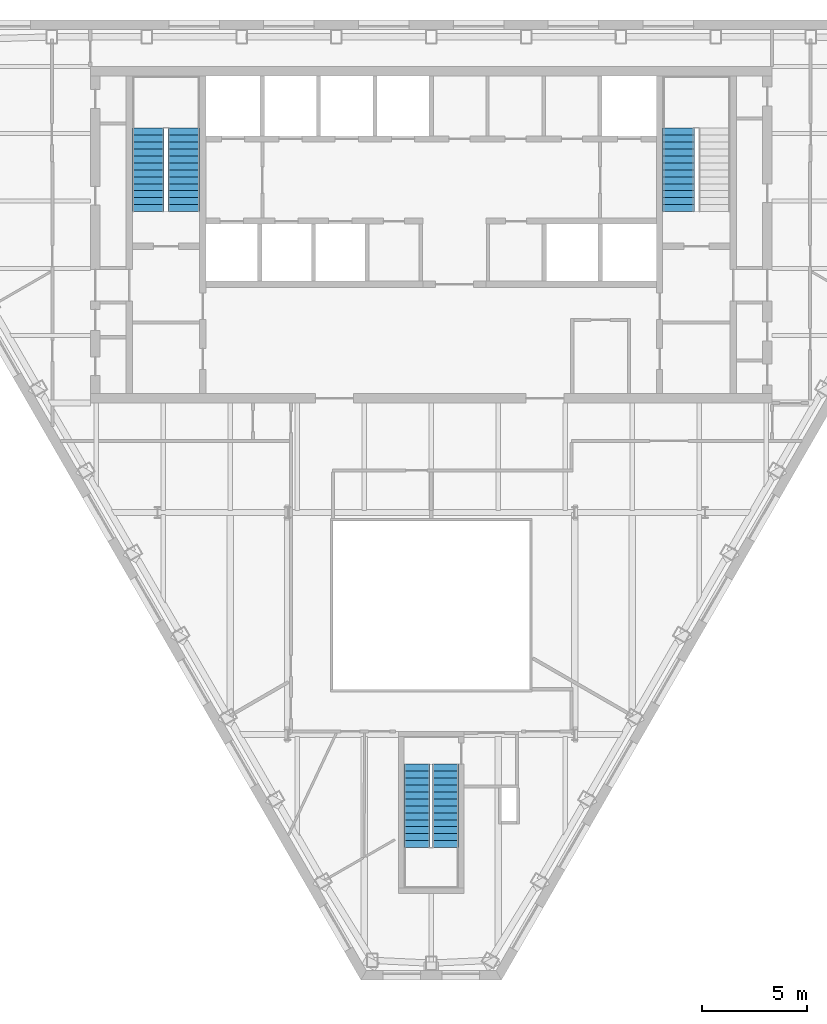
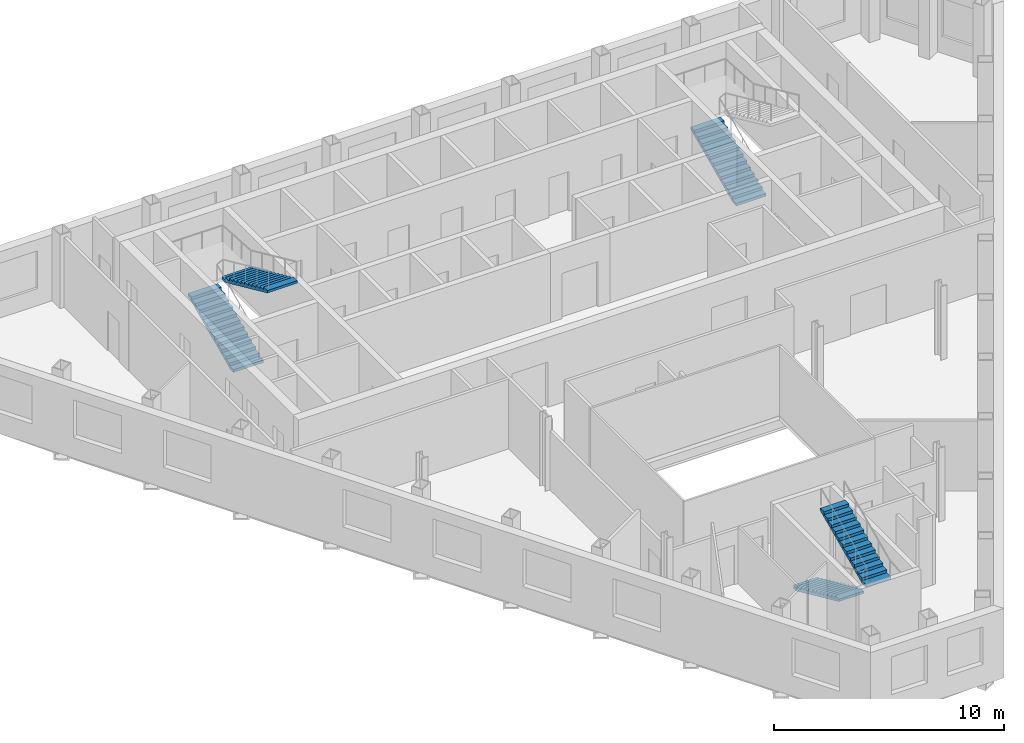
# One storey, part 8 of 10: 5 stair flights, 3 elements without a shape of their own.
"""IFC4 building model written with IfcOpenShell, lengths in metres."""

from ifc_helpers import new_model, si_unit, direction, frame, origin, place, context, subcontext, project, spatial, polygons, material, type_object, element, aggregate, save


model = new_model("IFC4")

# Units and contexts
model_context = context("Model", 3, precision=1e-05, world=origin(), true_north=direction((0.0, 1.0)))
body_context = subcontext(model_context, "Body", "Model", "MODEL_VIEW")
ifc_project = project(units=[si_unit("LENGTHUNIT", "METRE"), si_unit("AREAUNIT", "SQUARE_METRE"), si_unit("VOLUMEUNIT", "CUBIC_METRE"), si_unit("PLANEANGLEUNIT", "RADIAN"), si_unit("MASSUNIT", "GRAM", prefix="KILO")], contexts=[model_context])

# Site, building, storey
site_placement = place(None, origin())
site = spatial("IfcSite", under=ifc_project, at=site_placement, CompositionType="ELEMENT")
building_placement = place(site_placement, origin())
building = spatial("IfcBuilding", under=site, at=building_placement, Name="Njiva Tower", CompositionType="ELEMENT")
storey_placement = place(building_placement, frame((0.0, 0.0, 227.7)))
storey = spatial("IfcBuildingStorey", under=building, at=storey_placement, Name="L51", CompositionType="ELEMENT", Elevation=227.7)

# Stair, stair flights
ifc_material = material(Name="Concrete C40/50", Category="concrete")
stair_type_1 = type_object("IfcStairType", Name="ST1 Exit stair 1250", PredefinedType="HALF_TURN_STAIR", material=ifc_material)
stair_1_placement = place(storey_placement, origin())
stair_1 = element("IfcStair", 1, at=stair_1_placement, inside=storey, type_object=stair_type_1, Name="Stair C", PredefinedType="HALF_TURN_STAIR")
stair_flight_type_1 = type_object("IfcStairFlightType", Name="FL1 Stair flight 1250", PredefinedType="STRAIGHT", material=ifc_material)
stair_flight_1_placement = place(storey_placement, frame((-0.675, -15.16, 0.0), z_axis=(0.0, 0.0, 1.0), x_axis=(0.0, -1.0, 0.0)))
stair_flight_1 = element("IfcStairFlight", 2, at=stair_flight_1_placement, type_object=stair_flight_type_1, Name="ST-C flight 1", NumberOfRisers=13, NumberOfTreads=12, PredefinedType="STRAIGHT", RiserHeight=0.15, TreadLength=0.33, context=body_context, shape_type="Tessellation", body=[
    polygons([(0.0, 0.625, 0.0), (0.0, 0.3125, 0.0), (0.0, 0.0, 0.0), (0.0, -0.3125, 0.0), (0.0, -0.625, 0.0), (0.0, 0.625, 0.15), (0.0, 0.3125, 0.15), (0.0, 0.0, 0.15), (0.0, -0.3125, 0.15), (0.0, -0.625, 0.15), (0.33, 0.625, 0.15), (0.33, 0.3125, 0.15), (0.33, 0.0, 0.15), (0.33, -0.3125, 0.15), (0.33, -0.625, 0.15), (0.33, 0.625, 0.3), (0.33, 0.3125, 0.3), (0.33, 0.0, 0.3), (0.33, -0.3125, 0.3), (0.33, -0.625, 0.3), (0.66, 0.625, 0.3), (0.66, 0.3125, 0.3), (0.66, 0.0, 0.3), (0.66, -0.3125, 0.3), (0.66, -0.625, 0.3), (0.66, 0.625, 0.45), (0.66, 0.3125, 0.45), (0.66, 0.0, 0.45), (0.66, -0.3125, 0.45), (0.66, -0.625, 0.45), (0.99, 0.625, 0.45), (0.99, 0.3125, 0.45), (0.99, 0.0, 0.45), (0.99, -0.3125, 0.45), (0.99, -0.625, 0.45), (0.99, 0.625, 0.6), (0.99, 0.3125, 0.6), (0.99, 0.0, 0.6), (0.99, -0.3125, 0.6), (0.99, -0.625, 0.6), (1.32, 0.625, 0.6), (1.32, 0.3125, 0.6), (1.32, 0.0, 0.6), (1.32, -0.3125, 0.6), (1.32, -0.625, 0.6), (1.32, 0.625, 0.75), (1.32, 0.3125, 0.75), (1.32, 0.0, 0.75), (1.32, -0.3125, 0.75), (1.32, -0.625, 0.75), (1.65, 0.625, 0.75), (1.65, 0.3125, 0.75), (1.65, 0.0, 0.75), (1.65, -0.3125, 0.75), (1.65, -0.625, 0.75), (1.65, 0.625, 0.9), (1.65, 0.3125, 0.9), (1.65, 0.0, 0.9), (1.65, -0.3125, 0.9), (1.65, -0.625, 0.9), (1.98, 0.625, 0.9), (1.98, 0.3125, 0.9), (1.98, 0.0, 0.9), (1.98, -0.3125, 0.9), (1.98, -0.625, 0.9), (1.98, 0.625, 1.05), (1.98, 0.3125, 1.05), (1.98, 0.0, 1.05), (1.98, -0.3125, 1.05), (1.98, -0.625, 1.05), (2.31, 0.625, 1.05), (2.31, 0.3125, 1.05), (2.31, 0.0, 1.05), (2.31, -0.3125, 1.05), (2.31, -0.625, 1.05), (2.31, 0.625, 1.2), (2.31, 0.3125, 1.2), (2.31, 0.0, 1.2), (2.31, -0.3125, 1.2), (2.31, -0.625, 1.2), (2.64, 0.625, 1.2), (2.64, 0.3125, 1.2), (2.64, 0.0, 1.2), (2.64, -0.3125, 1.2), (2.64, -0.625, 1.2), (2.64, 0.625, 1.35), (2.64, 0.3125, 1.35), (2.64, 0.0, 1.35), (2.64, -0.3125, 1.35), (2.64, -0.625, 1.35), (2.97, 0.625, 1.35), (2.97, 0.3125, 1.35), (2.97, 0.0, 1.35), (2.97, -0.3125, 1.35), (2.97, -0.625, 1.35), (2.97, 0.625, 1.5), (2.97, 0.3125, 1.5), (2.97, 0.0, 1.5), (2.97, -0.3125, 1.5), (2.97, -0.625, 1.5), (3.3, 0.625, 1.5), (3.3, 0.3125, 1.5), (3.3, 0.0, 1.5), (3.3, -0.3125, 1.5), (3.3, -0.625, 1.5), (3.3, 0.625, 1.65), (3.3, 0.3125, 1.65), (3.3, 0.0, 1.65), (3.3, -0.3125, 1.65), (3.3, -0.625, 1.65), (3.63, 0.625, 1.65), (3.63, 0.3125, 1.65), (3.63, 0.0, 1.65), (3.63, -0.3125, 1.65), (3.63, -0.625, 1.65), (3.63, 0.625, 1.8), (3.63, 0.3125, 1.8), (3.63, 0.0, 1.8), (3.63, -0.3125, 1.8), (3.63, -0.625, 1.8), (3.96, 0.625, 1.8), (3.96, 0.3125, 1.8), (3.96, 0.0, 1.8), (3.96, -0.3125, 1.8), (3.96, -0.625, 1.8), (3.96, 0.625, 1.6682), (3.96, 0.3125, 1.6682), (3.96, 0.0, 1.6682), (3.96, -0.3125, 1.6682), (3.96, -0.625, 1.6682), (0.29, 0.625, 0.0), (0.29, 0.3125, 0.0), (0.29, 0.0, 0.0), (0.29, -0.3125, 0.0), (0.29, -0.625, 0.0)], [[[1, 6, 11, 16, 21, 26, 31, 36, 41, 46, 51, 56, 61, 66, 71, 76, 81, 86, 91, 96, 101, 106, 111, 116, 121, 126, 131]], [[135, 130, 125, 120, 115, 110, 105, 100, 95, 90, 85, 80, 75, 70, 65, 60, 55, 50, 45, 40, 35, 30, 25, 20, 15, 10, 5]], [[6, 1, 2, 7]], [[7, 2, 3, 8]], [[8, 3, 4, 9]], [[9, 4, 5, 10]], [[11, 6, 7, 12]], [[12, 7, 8, 13]], [[13, 8, 9, 14]], [[14, 9, 10, 15]], [[16, 11, 12, 17]], [[17, 12, 13, 18]], [[18, 13, 14, 19]], [[19, 14, 15, 20]], [[21, 16, 17, 22]], [[22, 17, 18, 23]], [[23, 18, 19, 24]], [[24, 19, 20, 25]], [[26, 21, 22, 27]], [[27, 22, 23, 28]], [[28, 23, 24, 29]], [[29, 24, 25, 30]], [[31, 26, 27, 32]], [[32, 27, 28, 33]], [[33, 28, 29, 34]], [[34, 29, 30, 35]], [[36, 31, 32, 37]], [[37, 32, 33, 38]], [[38, 33, 34, 39]], [[39, 34, 35, 40]], [[41, 36, 37, 42]], [[42, 37, 38, 43]], [[43, 38, 39, 44]], [[44, 39, 40, 45]], [[46, 41, 42, 47]], [[47, 42, 43, 48]], [[48, 43, 44, 49]], [[49, 44, 45, 50]], [[51, 46, 47, 52]], [[52, 47, 48, 53]], [[53, 48, 49, 54]], [[54, 49, 50, 55]], [[56, 51, 52, 57]], [[57, 52, 53, 58]], [[58, 53, 54, 59]], [[59, 54, 55, 60]], [[61, 56, 57, 62]], [[62, 57, 58, 63]], [[63, 58, 59, 64]], [[64, 59, 60, 65]], [[66, 61, 62, 67]], [[67, 62, 63, 68]], [[68, 63, 64, 69]], [[69, 64, 65, 70]], [[71, 66, 67, 72]], [[72, 67, 68, 73]], [[73, 68, 69, 74]], [[74, 69, 70, 75]], [[76, 71, 72, 77]], [[77, 72, 73, 78]], [[78, 73, 74, 79]], [[79, 74, 75, 80]], [[81, 76, 77, 82]], [[82, 77, 78, 83]], [[83, 78, 79, 84]], [[84, 79, 80, 85]], [[86, 81, 82, 87]], [[87, 82, 83, 88]], [[88, 83, 84, 89]], [[89, 84, 85, 90]], [[91, 86, 87, 92]], [[92, 87, 88, 93]], [[93, 88, 89, 94]], [[94, 89, 90, 95]], [[96, 91, 92, 97]], [[97, 92, 93, 98]], [[98, 93, 94, 99]], [[99, 94, 95, 100]], [[101, 96, 97, 102]], [[102, 97, 98, 103]], [[103, 98, 99, 104]], [[104, 99, 100, 105]], [[106, 101, 102, 107]], [[107, 102, 103, 108]], [[108, 103, 104, 109]], [[109, 104, 105, 110]], [[111, 106, 107, 112]], [[112, 107, 108, 113]], [[113, 108, 109, 114]], [[114, 109, 110, 115]], [[116, 111, 112, 117]], [[117, 112, 113, 118]], [[118, 113, 114, 119]], [[119, 114, 115, 120]], [[121, 116, 117, 122]], [[122, 117, 118, 123]], [[123, 118, 119, 124]], [[124, 119, 120, 125]], [[126, 121, 122, 127]], [[127, 122, 123, 128]], [[128, 123, 124, 129]], [[129, 124, 125, 130]], [[131, 126, 127, 132]], [[132, 127, 128, 133]], [[133, 128, 129, 134]], [[134, 129, 130, 135]], [[1, 131, 132, 2]], [[2, 132, 133, 3]], [[3, 133, 134, 4]], [[4, 134, 135, 5]]], closed=True),
])
stair_flight_2_placement = place(storey_placement, frame((0.675, -19.12, 1.95), z_axis=(0.0, 0.0, 1.0), x_axis=(0.0, 1.0, 0.0)))
stair_flight_2 = element("IfcStairFlight", 3, at=stair_flight_2_placement, type_object=stair_flight_type_1, Name="ST-C flight 2", NumberOfRisers=13, NumberOfTreads=12, PredefinedType="STRAIGHT", RiserHeight=0.15, TreadLength=0.33, context=body_context, shape_type="Tessellation", body=[
    polygons([(0.0, 0.625, 0.0), (0.0, 0.3125, 0.0), (0.0, 0.0, 0.0), (0.0, -0.3125, 0.0), (0.0, -0.625, 0.0), (0.0, 0.625, 0.15), (0.0, 0.3125, 0.15), (0.0, 0.0, 0.15), (0.0, -0.3125, 0.15), (0.0, -0.625, 0.15), (0.33, 0.625, 0.15), (0.33, 0.3125, 0.15), (0.33, 0.0, 0.15), (0.33, -0.3125, 0.15), (0.33, -0.625, 0.15), (0.33, 0.625, 0.3), (0.33, 0.3125, 0.3), (0.33, 0.0, 0.3), (0.33, -0.3125, 0.3), (0.33, -0.625, 0.3), (0.66, 0.625, 0.3), (0.66, 0.3125, 0.3), (0.66, 0.0, 0.3), (0.66, -0.3125, 0.3), (0.66, -0.625, 0.3), (0.66, 0.625, 0.45), (0.66, 0.3125, 0.45), (0.66, 0.0, 0.45), (0.66, -0.3125, 0.45), (0.66, -0.625, 0.45), (0.99, 0.625, 0.45), (0.99, 0.3125, 0.45), (0.99, 0.0, 0.45), (0.99, -0.3125, 0.45), (0.99, -0.625, 0.45), (0.99, 0.625, 0.6), (0.99, 0.3125, 0.6), (0.99, 0.0, 0.6), (0.99, -0.3125, 0.6), (0.99, -0.625, 0.6), (1.32, 0.625, 0.6), (1.32, 0.3125, 0.6), (1.32, 0.0, 0.6), (1.32, -0.3125, 0.6), (1.32, -0.625, 0.6), (1.32, 0.625, 0.75), (1.32, 0.3125, 0.75), (1.32, 0.0, 0.75), (1.32, -0.3125, 0.75), (1.32, -0.625, 0.75), (1.65, 0.625, 0.75), (1.65, 0.3125, 0.75), (1.65, 0.0, 0.75), (1.65, -0.3125, 0.75), (1.65, -0.625, 0.75), (1.65, 0.625, 0.9), (1.65, 0.3125, 0.9), (1.65, 0.0, 0.9), (1.65, -0.3125, 0.9), (1.65, -0.625, 0.9), (1.98, 0.625, 0.9), (1.98, 0.3125, 0.9), (1.98, 0.0, 0.9), (1.98, -0.3125, 0.9), (1.98, -0.625, 0.9), (1.98, 0.625, 1.05), (1.98, 0.3125, 1.05), (1.98, 0.0, 1.05), (1.98, -0.3125, 1.05), (1.98, -0.625, 1.05), (2.31, 0.625, 1.05), (2.31, 0.3125, 1.05), (2.31, 0.0, 1.05), (2.31, -0.3125, 1.05), (2.31, -0.625, 1.05), (2.31, 0.625, 1.2), (2.31, 0.3125, 1.2), (2.31, 0.0, 1.2), (2.31, -0.3125, 1.2), (2.31, -0.625, 1.2), (2.64, 0.625, 1.2), (2.64, 0.3125, 1.2), (2.64, 0.0, 1.2), (2.64, -0.3125, 1.2), (2.64, -0.625, 1.2), (2.64, 0.625, 1.35), (2.64, 0.3125, 1.35), (2.64, 0.0, 1.35), (2.64, -0.3125, 1.35), (2.64, -0.625, 1.35), (2.97, 0.625, 1.35), (2.97, 0.3125, 1.35), (2.97, 0.0, 1.35), (2.97, -0.3125, 1.35), (2.97, -0.625, 1.35), (2.97, 0.625, 1.5), (2.97, 0.3125, 1.5), (2.97, 0.0, 1.5), (2.97, -0.3125, 1.5), (2.97, -0.625, 1.5), (3.3, 0.625, 1.5), (3.3, 0.3125, 1.5), (3.3, 0.0, 1.5), (3.3, -0.3125, 1.5), (3.3, -0.625, 1.5), (3.3, 0.625, 1.65), (3.3, 0.3125, 1.65), (3.3, 0.0, 1.65), (3.3, -0.3125, 1.65), (3.3, -0.625, 1.65), (3.63, 0.625, 1.65), (3.63, 0.3125, 1.65), (3.63, 0.0, 1.65), (3.63, -0.3125, 1.65), (3.63, -0.625, 1.65), (3.63, 0.625, 1.8), (3.63, 0.3125, 1.8), (3.63, 0.0, 1.8), (3.63, -0.3125, 1.8), (3.63, -0.625, 1.8), (3.96, 0.625, 1.8), (3.96, 0.3125, 1.8), (3.96, 0.0, 1.8), (3.96, -0.3125, 1.8), (3.96, -0.625, 1.8), (3.96, 0.625, 1.6682), (3.96, 0.3125, 1.6682), (3.96, 0.0, 1.6682), (3.96, -0.3125, 1.6682), (3.96, -0.625, 1.6682), (0.29, 0.625, 0.0), (0.29, 0.3125, 0.0), (0.29, 0.0, 0.0), (0.29, -0.3125, 0.0), (0.29, -0.625, 0.0)], [[[1, 6, 11, 16, 21, 26, 31, 36, 41, 46, 51, 56, 61, 66, 71, 76, 81, 86, 91, 96, 101, 106, 111, 116, 121, 126, 131]], [[135, 130, 125, 120, 115, 110, 105, 100, 95, 90, 85, 80, 75, 70, 65, 60, 55, 50, 45, 40, 35, 30, 25, 20, 15, 10, 5]], [[6, 1, 2, 7]], [[7, 2, 3, 8]], [[8, 3, 4, 9]], [[9, 4, 5, 10]], [[11, 6, 7, 12]], [[12, 7, 8, 13]], [[13, 8, 9, 14]], [[14, 9, 10, 15]], [[16, 11, 12, 17]], [[17, 12, 13, 18]], [[18, 13, 14, 19]], [[19, 14, 15, 20]], [[21, 16, 17, 22]], [[22, 17, 18, 23]], [[23, 18, 19, 24]], [[24, 19, 20, 25]], [[26, 21, 22, 27]], [[27, 22, 23, 28]], [[28, 23, 24, 29]], [[29, 24, 25, 30]], [[31, 26, 27, 32]], [[32, 27, 28, 33]], [[33, 28, 29, 34]], [[34, 29, 30, 35]], [[36, 31, 32, 37]], [[37, 32, 33, 38]], [[38, 33, 34, 39]], [[39, 34, 35, 40]], [[41, 36, 37, 42]], [[42, 37, 38, 43]], [[43, 38, 39, 44]], [[44, 39, 40, 45]], [[46, 41, 42, 47]], [[47, 42, 43, 48]], [[48, 43, 44, 49]], [[49, 44, 45, 50]], [[51, 46, 47, 52]], [[52, 47, 48, 53]], [[53, 48, 49, 54]], [[54, 49, 50, 55]], [[56, 51, 52, 57]], [[57, 52, 53, 58]], [[58, 53, 54, 59]], [[59, 54, 55, 60]], [[61, 56, 57, 62]], [[62, 57, 58, 63]], [[63, 58, 59, 64]], [[64, 59, 60, 65]], [[66, 61, 62, 67]], [[67, 62, 63, 68]], [[68, 63, 64, 69]], [[69, 64, 65, 70]], [[71, 66, 67, 72]], [[72, 67, 68, 73]], [[73, 68, 69, 74]], [[74, 69, 70, 75]], [[76, 71, 72, 77]], [[77, 72, 73, 78]], [[78, 73, 74, 79]], [[79, 74, 75, 80]], [[81, 76, 77, 82]], [[82, 77, 78, 83]], [[83, 78, 79, 84]], [[84, 79, 80, 85]], [[86, 81, 82, 87]], [[87, 82, 83, 88]], [[88, 83, 84, 89]], [[89, 84, 85, 90]], [[91, 86, 87, 92]], [[92, 87, 88, 93]], [[93, 88, 89, 94]], [[94, 89, 90, 95]], [[96, 91, 92, 97]], [[97, 92, 93, 98]], [[98, 93, 94, 99]], [[99, 94, 95, 100]], [[101, 96, 97, 102]], [[102, 97, 98, 103]], [[103, 98, 99, 104]], [[104, 99, 100, 105]], [[106, 101, 102, 107]], [[107, 102, 103, 108]], [[108, 103, 104, 109]], [[109, 104, 105, 110]], [[111, 106, 107, 112]], [[112, 107, 108, 113]], [[113, 108, 109, 114]], [[114, 109, 110, 115]], [[116, 111, 112, 117]], [[117, 112, 113, 118]], [[118, 113, 114, 119]], [[119, 114, 115, 120]], [[121, 116, 117, 122]], [[122, 117, 118, 123]], [[123, 118, 119, 124]], [[124, 119, 120, 125]], [[126, 121, 122, 127]], [[127, 122, 123, 128]], [[128, 123, 124, 129]], [[129, 124, 125, 130]], [[131, 126, 127, 132]], [[132, 127, 128, 133]], [[133, 128, 129, 134]], [[134, 129, 130, 135]], [[1, 131, 132, 2]], [[2, 132, 133, 3]], [[3, 133, 134, 4]], [[4, 134, 135, 5]]], closed=True),
])
aggregate(stair_1, [stair_flight_1, stair_flight_2])

stair_type_2 = type_object("IfcStairType", Name="ST4 Exit stair 1500", PredefinedType="HALF_TURN_STAIR", material=ifc_material)
stair_2_placement = place(storey_placement, origin())
stair_2 = element("IfcStair", 4, at=stair_2_placement, inside=storey, type_object=stair_type_2, Name="Stair A", PredefinedType="HALF_TURN_STAIR")
stair_flight_type_2 = type_object("IfcStairFlightType", Name="FL4 Stair flight 1500", PredefinedType="STRAIGHT", material=ifc_material)
stair_flight_3_placement = place(storey_placement, frame((-13.45, 11.1, 0.0), z_axis=(0.0, 0.0, 1.0), x_axis=(0.0, 1.0, 0.0)))
stair_flight_3 = element("IfcStairFlight", 5, at=stair_flight_3_placement, type_object=stair_flight_type_2, Name="ST-A flight 1", NumberOfRisers=13, NumberOfTreads=12, PredefinedType="STRAIGHT", RiserHeight=0.15, TreadLength=0.33, context=body_context, shape_type="Tessellation", body=[
    polygons([(0.0, 0.75, 0.0), (0.0, 0.375, 0.0), (0.0, 0.0, 0.0), (0.0, -0.375, 0.0), (0.0, -0.75, 0.0), (0.0, 0.75, 0.15), (0.0, 0.375, 0.15), (0.0, 0.0, 0.15), (0.0, -0.375, 0.15), (0.0, -0.75, 0.15), (0.33, 0.75, 0.15), (0.33, 0.375, 0.15), (0.33, 0.0, 0.15), (0.33, -0.375, 0.15), (0.33, -0.75, 0.15), (0.33, 0.75, 0.3), (0.33, 0.375, 0.3), (0.33, 0.0, 0.3), (0.33, -0.375, 0.3), (0.33, -0.75, 0.3), (0.66, 0.75, 0.3), (0.66, 0.375, 0.3), (0.66, 0.0, 0.3), (0.66, -0.375, 0.3), (0.66, -0.75, 0.3), (0.66, 0.75, 0.45), (0.66, 0.375, 0.45), (0.66, 0.0, 0.45), (0.66, -0.375, 0.45), (0.66, -0.75, 0.45), (0.99, 0.75, 0.45), (0.99, 0.375, 0.45), (0.99, 0.0, 0.45), (0.99, -0.375, 0.45), (0.99, -0.75, 0.45), (0.99, 0.75, 0.6), (0.99, 0.375, 0.6), (0.99, 0.0, 0.6), (0.99, -0.375, 0.6), (0.99, -0.75, 0.6), (1.32, 0.75, 0.6), (1.32, 0.375, 0.6), (1.32, 0.0, 0.6), (1.32, -0.375, 0.6), (1.32, -0.75, 0.6), (1.32, 0.75, 0.75), (1.32, 0.375, 0.75), (1.32, 0.0, 0.75), (1.32, -0.375, 0.75), (1.32, -0.75, 0.75), (1.65, 0.75, 0.75), (1.65, 0.375, 0.75), (1.65, 0.0, 0.75), (1.65, -0.375, 0.75), (1.65, -0.75, 0.75), (1.65, 0.75, 0.9), (1.65, 0.375, 0.9), (1.65, 0.0, 0.9), (1.65, -0.375, 0.9), (1.65, -0.75, 0.9), (1.98, 0.75, 0.9), (1.98, 0.375, 0.9), (1.98, 0.0, 0.9), (1.98, -0.375, 0.9), (1.98, -0.75, 0.9), (1.98, 0.75, 1.05), (1.98, 0.375, 1.05), (1.98, 0.0, 1.05), (1.98, -0.375, 1.05), (1.98, -0.75, 1.05), (2.31, 0.75, 1.05), (2.31, 0.375, 1.05), (2.31, 0.0, 1.05), (2.31, -0.375, 1.05), (2.31, -0.75, 1.05), (2.31, 0.75, 1.2), (2.31, 0.375, 1.2), (2.31, 0.0, 1.2), (2.31, -0.375, 1.2), (2.31, -0.75, 1.2), (2.64, 0.75, 1.2), (2.64, 0.375, 1.2), (2.64, 0.0, 1.2), (2.64, -0.375, 1.2), (2.64, -0.75, 1.2), (2.64, 0.75, 1.35), (2.64, 0.375, 1.35), (2.64, 0.0, 1.35), (2.64, -0.375, 1.35), (2.64, -0.75, 1.35), (2.97, 0.75, 1.35), (2.97, 0.375, 1.35), (2.97, 0.0, 1.35), (2.97, -0.375, 1.35), (2.97, -0.75, 1.35), (2.97, 0.75, 1.5), (2.97, 0.375, 1.5), (2.97, 0.0, 1.5), (2.97, -0.375, 1.5), (2.97, -0.75, 1.5), (3.3, 0.75, 1.5), (3.3, 0.375, 1.5), (3.3, 0.0, 1.5), (3.3, -0.375, 1.5), (3.3, -0.75, 1.5), (3.3, 0.75, 1.65), (3.3, 0.375, 1.65), (3.3, 0.0, 1.65), (3.3, -0.375, 1.65), (3.3, -0.75, 1.65), (3.63, 0.75, 1.65), (3.63, 0.375, 1.65), (3.63, 0.0, 1.65), (3.63, -0.375, 1.65), (3.63, -0.75, 1.65), (3.63, 0.75, 1.8), (3.63, 0.375, 1.8), (3.63, 0.0, 1.8), (3.63, -0.375, 1.8), (3.63, -0.75, 1.8), (3.96, 0.75, 1.8), (3.96, 0.375, 1.8), (3.96, 0.0, 1.8), (3.96, -0.375, 1.8), (3.96, -0.75, 1.8), (3.96, 0.75, 1.6682), (3.96, 0.375, 1.6682), (3.96, 0.0, 1.6682), (3.96, -0.375, 1.6682), (3.96, -0.75, 1.6682), (0.29, 0.75, 0.0), (0.29, 0.375, 0.0), (0.29, 0.0, 0.0), (0.29, -0.375, 0.0), (0.29, -0.75, 0.0)], [[[1, 6, 11, 16, 21, 26, 31, 36, 41, 46, 51, 56, 61, 66, 71, 76, 81, 86, 91, 96, 101, 106, 111, 116, 121, 126, 131]], [[135, 130, 125, 120, 115, 110, 105, 100, 95, 90, 85, 80, 75, 70, 65, 60, 55, 50, 45, 40, 35, 30, 25, 20, 15, 10, 5]], [[6, 1, 2, 7]], [[7, 2, 3, 8]], [[8, 3, 4, 9]], [[9, 4, 5, 10]], [[11, 6, 7, 12]], [[12, 7, 8, 13]], [[13, 8, 9, 14]], [[14, 9, 10, 15]], [[16, 11, 12, 17]], [[17, 12, 13, 18]], [[18, 13, 14, 19]], [[19, 14, 15, 20]], [[21, 16, 17, 22]], [[22, 17, 18, 23]], [[23, 18, 19, 24]], [[24, 19, 20, 25]], [[26, 21, 22, 27]], [[27, 22, 23, 28]], [[28, 23, 24, 29]], [[29, 24, 25, 30]], [[31, 26, 27, 32]], [[32, 27, 28, 33]], [[33, 28, 29, 34]], [[34, 29, 30, 35]], [[36, 31, 32, 37]], [[37, 32, 33, 38]], [[38, 33, 34, 39]], [[39, 34, 35, 40]], [[41, 36, 37, 42]], [[42, 37, 38, 43]], [[43, 38, 39, 44]], [[44, 39, 40, 45]], [[46, 41, 42, 47]], [[47, 42, 43, 48]], [[48, 43, 44, 49]], [[49, 44, 45, 50]], [[51, 46, 47, 52]], [[52, 47, 48, 53]], [[53, 48, 49, 54]], [[54, 49, 50, 55]], [[56, 51, 52, 57]], [[57, 52, 53, 58]], [[58, 53, 54, 59]], [[59, 54, 55, 60]], [[61, 56, 57, 62]], [[62, 57, 58, 63]], [[63, 58, 59, 64]], [[64, 59, 60, 65]], [[66, 61, 62, 67]], [[67, 62, 63, 68]], [[68, 63, 64, 69]], [[69, 64, 65, 70]], [[71, 66, 67, 72]], [[72, 67, 68, 73]], [[73, 68, 69, 74]], [[74, 69, 70, 75]], [[76, 71, 72, 77]], [[77, 72, 73, 78]], [[78, 73, 74, 79]], [[79, 74, 75, 80]], [[81, 76, 77, 82]], [[82, 77, 78, 83]], [[83, 78, 79, 84]], [[84, 79, 80, 85]], [[86, 81, 82, 87]], [[87, 82, 83, 88]], [[88, 83, 84, 89]], [[89, 84, 85, 90]], [[91, 86, 87, 92]], [[92, 87, 88, 93]], [[93, 88, 89, 94]], [[94, 89, 90, 95]], [[96, 91, 92, 97]], [[97, 92, 93, 98]], [[98, 93, 94, 99]], [[99, 94, 95, 100]], [[101, 96, 97, 102]], [[102, 97, 98, 103]], [[103, 98, 99, 104]], [[104, 99, 100, 105]], [[106, 101, 102, 107]], [[107, 102, 103, 108]], [[108, 103, 104, 109]], [[109, 104, 105, 110]], [[111, 106, 107, 112]], [[112, 107, 108, 113]], [[113, 108, 109, 114]], [[114, 109, 110, 115]], [[116, 111, 112, 117]], [[117, 112, 113, 118]], [[118, 113, 114, 119]], [[119, 114, 115, 120]], [[121, 116, 117, 122]], [[122, 117, 118, 123]], [[123, 118, 119, 124]], [[124, 119, 120, 125]], [[126, 121, 122, 127]], [[127, 122, 123, 128]], [[128, 123, 124, 129]], [[129, 124, 125, 130]], [[131, 126, 127, 132]], [[132, 127, 128, 133]], [[133, 128, 129, 134]], [[134, 129, 130, 135]], [[1, 131, 132, 2]], [[2, 132, 133, 3]], [[3, 133, 134, 4]], [[4, 134, 135, 5]]], closed=True),
])
stair_flight_4_placement = place(storey_placement, frame((-11.75, 15.06, 1.95), z_axis=(0.0, 0.0, 1.0), x_axis=(0.0, -1.0, 0.0)))
stair_flight_4 = element("IfcStairFlight", 6, at=stair_flight_4_placement, type_object=stair_flight_type_2, Name="ST-A flight 2", NumberOfRisers=13, NumberOfTreads=12, PredefinedType="STRAIGHT", RiserHeight=0.15, TreadLength=0.33, context=body_context, shape_type="Tessellation", body=[
    polygons([(0.0, 0.75, 0.0), (0.0, 0.375, 0.0), (0.0, 0.0, 0.0), (0.0, -0.375, 0.0), (0.0, -0.75, 0.0), (0.0, 0.75, 0.15), (0.0, 0.375, 0.15), (0.0, 0.0, 0.15), (0.0, -0.375, 0.15), (0.0, -0.75, 0.15), (0.33, 0.75, 0.15), (0.33, 0.375, 0.15), (0.33, 0.0, 0.15), (0.33, -0.375, 0.15), (0.33, -0.75, 0.15), (0.33, 0.75, 0.3), (0.33, 0.375, 0.3), (0.33, 0.0, 0.3), (0.33, -0.375, 0.3), (0.33, -0.75, 0.3), (0.66, 0.75, 0.3), (0.66, 0.375, 0.3), (0.66, 0.0, 0.3), (0.66, -0.375, 0.3), (0.66, -0.75, 0.3), (0.66, 0.75, 0.45), (0.66, 0.375, 0.45), (0.66, 0.0, 0.45), (0.66, -0.375, 0.45), (0.66, -0.75, 0.45), (0.99, 0.75, 0.45), (0.99, 0.375, 0.45), (0.99, 0.0, 0.45), (0.99, -0.375, 0.45), (0.99, -0.75, 0.45), (0.99, 0.75, 0.6), (0.99, 0.375, 0.6), (0.99, 0.0, 0.6), (0.99, -0.375, 0.6), (0.99, -0.75, 0.6), (1.32, 0.75, 0.6), (1.32, 0.375, 0.6), (1.32, 0.0, 0.6), (1.32, -0.375, 0.6), (1.32, -0.75, 0.6), (1.32, 0.75, 0.75), (1.32, 0.375, 0.75), (1.32, 0.0, 0.75), (1.32, -0.375, 0.75), (1.32, -0.75, 0.75), (1.65, 0.75, 0.75), (1.65, 0.375, 0.75), (1.65, 0.0, 0.75), (1.65, -0.375, 0.75), (1.65, -0.75, 0.75), (1.65, 0.75, 0.9), (1.65, 0.375, 0.9), (1.65, 0.0, 0.9), (1.65, -0.375, 0.9), (1.65, -0.75, 0.9), (1.98, 0.75, 0.9), (1.98, 0.375, 0.9), (1.98, 0.0, 0.9), (1.98, -0.375, 0.9), (1.98, -0.75, 0.9), (1.98, 0.75, 1.05), (1.98, 0.375, 1.05), (1.98, 0.0, 1.05), (1.98, -0.375, 1.05), (1.98, -0.75, 1.05), (2.31, 0.75, 1.05), (2.31, 0.375, 1.05), (2.31, 0.0, 1.05), (2.31, -0.375, 1.05), (2.31, -0.75, 1.05), (2.31, 0.75, 1.2), (2.31, 0.375, 1.2), (2.31, 0.0, 1.2), (2.31, -0.375, 1.2), (2.31, -0.75, 1.2), (2.64, 0.75, 1.2), (2.64, 0.375, 1.2), (2.64, 0.0, 1.2), (2.64, -0.375, 1.2), (2.64, -0.75, 1.2), (2.64, 0.75, 1.35), (2.64, 0.375, 1.35), (2.64, 0.0, 1.35), (2.64, -0.375, 1.35), (2.64, -0.75, 1.35), (2.97, 0.75, 1.35), (2.97, 0.375, 1.35), (2.97, 0.0, 1.35), (2.97, -0.375, 1.35), (2.97, -0.75, 1.35), (2.97, 0.75, 1.5), (2.97, 0.375, 1.5), (2.97, 0.0, 1.5), (2.97, -0.375, 1.5), (2.97, -0.75, 1.5), (3.3, 0.75, 1.5), (3.3, 0.375, 1.5), (3.3, 0.0, 1.5), (3.3, -0.375, 1.5), (3.3, -0.75, 1.5), (3.3, 0.75, 1.65), (3.3, 0.375, 1.65), (3.3, 0.0, 1.65), (3.3, -0.375, 1.65), (3.3, -0.75, 1.65), (3.63, 0.75, 1.65), (3.63, 0.375, 1.65), (3.63, 0.0, 1.65), (3.63, -0.375, 1.65), (3.63, -0.75, 1.65), (3.63, 0.75, 1.8), (3.63, 0.375, 1.8), (3.63, 0.0, 1.8), (3.63, -0.375, 1.8), (3.63, -0.75, 1.8), (3.96, 0.75, 1.8), (3.96, 0.375, 1.8), (3.96, 0.0, 1.8), (3.96, -0.375, 1.8), (3.96, -0.75, 1.8), (3.96, 0.75, 1.6682), (3.96, 0.375, 1.6682), (3.96, 0.0, 1.6682), (3.96, -0.375, 1.6682), (3.96, -0.75, 1.6682), (0.29, 0.75, 0.0), (0.29, 0.375, 0.0), (0.29, 0.0, 0.0), (0.29, -0.375, 0.0), (0.29, -0.75, 0.0)], [[[1, 6, 11, 16, 21, 26, 31, 36, 41, 46, 51, 56, 61, 66, 71, 76, 81, 86, 91, 96, 101, 106, 111, 116, 121, 126, 131]], [[135, 130, 125, 120, 115, 110, 105, 100, 95, 90, 85, 80, 75, 70, 65, 60, 55, 50, 45, 40, 35, 30, 25, 20, 15, 10, 5]], [[6, 1, 2, 7]], [[7, 2, 3, 8]], [[8, 3, 4, 9]], [[9, 4, 5, 10]], [[11, 6, 7, 12]], [[12, 7, 8, 13]], [[13, 8, 9, 14]], [[14, 9, 10, 15]], [[16, 11, 12, 17]], [[17, 12, 13, 18]], [[18, 13, 14, 19]], [[19, 14, 15, 20]], [[21, 16, 17, 22]], [[22, 17, 18, 23]], [[23, 18, 19, 24]], [[24, 19, 20, 25]], [[26, 21, 22, 27]], [[27, 22, 23, 28]], [[28, 23, 24, 29]], [[29, 24, 25, 30]], [[31, 26, 27, 32]], [[32, 27, 28, 33]], [[33, 28, 29, 34]], [[34, 29, 30, 35]], [[36, 31, 32, 37]], [[37, 32, 33, 38]], [[38, 33, 34, 39]], [[39, 34, 35, 40]], [[41, 36, 37, 42]], [[42, 37, 38, 43]], [[43, 38, 39, 44]], [[44, 39, 40, 45]], [[46, 41, 42, 47]], [[47, 42, 43, 48]], [[48, 43, 44, 49]], [[49, 44, 45, 50]], [[51, 46, 47, 52]], [[52, 47, 48, 53]], [[53, 48, 49, 54]], [[54, 49, 50, 55]], [[56, 51, 52, 57]], [[57, 52, 53, 58]], [[58, 53, 54, 59]], [[59, 54, 55, 60]], [[61, 56, 57, 62]], [[62, 57, 58, 63]], [[63, 58, 59, 64]], [[64, 59, 60, 65]], [[66, 61, 62, 67]], [[67, 62, 63, 68]], [[68, 63, 64, 69]], [[69, 64, 65, 70]], [[71, 66, 67, 72]], [[72, 67, 68, 73]], [[73, 68, 69, 74]], [[74, 69, 70, 75]], [[76, 71, 72, 77]], [[77, 72, 73, 78]], [[78, 73, 74, 79]], [[79, 74, 75, 80]], [[81, 76, 77, 82]], [[82, 77, 78, 83]], [[83, 78, 79, 84]], [[84, 79, 80, 85]], [[86, 81, 82, 87]], [[87, 82, 83, 88]], [[88, 83, 84, 89]], [[89, 84, 85, 90]], [[91, 86, 87, 92]], [[92, 87, 88, 93]], [[93, 88, 89, 94]], [[94, 89, 90, 95]], [[96, 91, 92, 97]], [[97, 92, 93, 98]], [[98, 93, 94, 99]], [[99, 94, 95, 100]], [[101, 96, 97, 102]], [[102, 97, 98, 103]], [[103, 98, 99, 104]], [[104, 99, 100, 105]], [[106, 101, 102, 107]], [[107, 102, 103, 108]], [[108, 103, 104, 109]], [[109, 104, 105, 110]], [[111, 106, 107, 112]], [[112, 107, 108, 113]], [[113, 108, 109, 114]], [[114, 109, 110, 115]], [[116, 111, 112, 117]], [[117, 112, 113, 118]], [[118, 113, 114, 119]], [[119, 114, 115, 120]], [[121, 116, 117, 122]], [[122, 117, 118, 123]], [[123, 118, 119, 124]], [[124, 119, 120, 125]], [[126, 121, 122, 127]], [[127, 122, 123, 128]], [[128, 123, 124, 129]], [[129, 124, 125, 130]], [[131, 126, 127, 132]], [[132, 127, 128, 133]], [[133, 128, 129, 134]], [[134, 129, 130, 135]], [[1, 131, 132, 2]], [[2, 132, 133, 3]], [[3, 133, 134, 4]], [[4, 134, 135, 5]]], closed=True),
])
aggregate(stair_2, [stair_flight_3, stair_flight_4])

# Stair, stair flight
stair_3_placement = place(storey_placement, origin())
stair_3 = element("IfcStair", 7, at=stair_3_placement, inside=storey, type_object=stair_type_2, Name="Stair B", PredefinedType="HALF_TURN_STAIR")
stair_flight_5_placement = place(storey_placement, frame((11.75, 11.1, 0.0), z_axis=(0.0, 0.0, 1.0), x_axis=(0.0, 1.0, 0.0)))
stair_flight_5 = element("IfcStairFlight", 8, at=stair_flight_5_placement, type_object=stair_flight_type_2, Name="ST-B flight 1", NumberOfRisers=13, NumberOfTreads=12, PredefinedType="STRAIGHT", RiserHeight=0.15, TreadLength=0.33, context=body_context, shape_type="Tessellation", body=[
    polygons([(0.0, 0.75, 0.0), (0.0, 0.375, 0.0), (0.0, 0.0, 0.0), (0.0, -0.375, 0.0), (0.0, -0.75, 0.0), (0.0, 0.75, 0.15), (0.0, 0.375, 0.15), (0.0, 0.0, 0.15), (0.0, -0.375, 0.15), (0.0, -0.75, 0.15), (0.33, 0.75, 0.15), (0.33, 0.375, 0.15), (0.33, 0.0, 0.15), (0.33, -0.375, 0.15), (0.33, -0.75, 0.15), (0.33, 0.75, 0.3), (0.33, 0.375, 0.3), (0.33, 0.0, 0.3), (0.33, -0.375, 0.3), (0.33, -0.75, 0.3), (0.66, 0.75, 0.3), (0.66, 0.375, 0.3), (0.66, 0.0, 0.3), (0.66, -0.375, 0.3), (0.66, -0.75, 0.3), (0.66, 0.75, 0.45), (0.66, 0.375, 0.45), (0.66, 0.0, 0.45), (0.66, -0.375, 0.45), (0.66, -0.75, 0.45), (0.99, 0.75, 0.45), (0.99, 0.375, 0.45), (0.99, 0.0, 0.45), (0.99, -0.375, 0.45), (0.99, -0.75, 0.45), (0.99, 0.75, 0.6), (0.99, 0.375, 0.6), (0.99, 0.0, 0.6), (0.99, -0.375, 0.6), (0.99, -0.75, 0.6), (1.32, 0.75, 0.6), (1.32, 0.375, 0.6), (1.32, 0.0, 0.6), (1.32, -0.375, 0.6), (1.32, -0.75, 0.6), (1.32, 0.75, 0.75), (1.32, 0.375, 0.75), (1.32, 0.0, 0.75), (1.32, -0.375, 0.75), (1.32, -0.75, 0.75), (1.65, 0.75, 0.75), (1.65, 0.375, 0.75), (1.65, 0.0, 0.75), (1.65, -0.375, 0.75), (1.65, -0.75, 0.75), (1.65, 0.75, 0.9), (1.65, 0.375, 0.9), (1.65, 0.0, 0.9), (1.65, -0.375, 0.9), (1.65, -0.75, 0.9), (1.98, 0.75, 0.9), (1.98, 0.375, 0.9), (1.98, 0.0, 0.9), (1.98, -0.375, 0.9), (1.98, -0.75, 0.9), (1.98, 0.75, 1.05), (1.98, 0.375, 1.05), (1.98, 0.0, 1.05), (1.98, -0.375, 1.05), (1.98, -0.75, 1.05), (2.31, 0.75, 1.05), (2.31, 0.375, 1.05), (2.31, 0.0, 1.05), (2.31, -0.375, 1.05), (2.31, -0.75, 1.05), (2.31, 0.75, 1.2), (2.31, 0.375, 1.2), (2.31, 0.0, 1.2), (2.31, -0.375, 1.2), (2.31, -0.75, 1.2), (2.64, 0.75, 1.2), (2.64, 0.375, 1.2), (2.64, 0.0, 1.2), (2.64, -0.375, 1.2), (2.64, -0.75, 1.2), (2.64, 0.75, 1.35), (2.64, 0.375, 1.35), (2.64, 0.0, 1.35), (2.64, -0.375, 1.35), (2.64, -0.75, 1.35), (2.97, 0.75, 1.35), (2.97, 0.375, 1.35), (2.97, 0.0, 1.35), (2.97, -0.375, 1.35), (2.97, -0.75, 1.35), (2.97, 0.75, 1.5), (2.97, 0.375, 1.5), (2.97, 0.0, 1.5), (2.97, -0.375, 1.5), (2.97, -0.75, 1.5), (3.3, 0.75, 1.5), (3.3, 0.375, 1.5), (3.3, 0.0, 1.5), (3.3, -0.375, 1.5), (3.3, -0.75, 1.5), (3.3, 0.75, 1.65), (3.3, 0.375, 1.65), (3.3, 0.0, 1.65), (3.3, -0.375, 1.65), (3.3, -0.75, 1.65), (3.63, 0.75, 1.65), (3.63, 0.375, 1.65), (3.63, 0.0, 1.65), (3.63, -0.375, 1.65), (3.63, -0.75, 1.65), (3.63, 0.75, 1.8), (3.63, 0.375, 1.8), (3.63, 0.0, 1.8), (3.63, -0.375, 1.8), (3.63, -0.75, 1.8), (3.96, 0.75, 1.8), (3.96, 0.375, 1.8), (3.96, 0.0, 1.8), (3.96, -0.375, 1.8), (3.96, -0.75, 1.8), (3.96, 0.75, 1.6682), (3.96, 0.375, 1.6682), (3.96, 0.0, 1.6682), (3.96, -0.375, 1.6682), (3.96, -0.75, 1.6682), (0.29, 0.75, 0.0), (0.29, 0.375, 0.0), (0.29, 0.0, 0.0), (0.29, -0.375, 0.0), (0.29, -0.75, 0.0)], [[[1, 6, 11, 16, 21, 26, 31, 36, 41, 46, 51, 56, 61, 66, 71, 76, 81, 86, 91, 96, 101, 106, 111, 116, 121, 126, 131]], [[135, 130, 125, 120, 115, 110, 105, 100, 95, 90, 85, 80, 75, 70, 65, 60, 55, 50, 45, 40, 35, 30, 25, 20, 15, 10, 5]], [[6, 1, 2, 7]], [[7, 2, 3, 8]], [[8, 3, 4, 9]], [[9, 4, 5, 10]], [[11, 6, 7, 12]], [[12, 7, 8, 13]], [[13, 8, 9, 14]], [[14, 9, 10, 15]], [[16, 11, 12, 17]], [[17, 12, 13, 18]], [[18, 13, 14, 19]], [[19, 14, 15, 20]], [[21, 16, 17, 22]], [[22, 17, 18, 23]], [[23, 18, 19, 24]], [[24, 19, 20, 25]], [[26, 21, 22, 27]], [[27, 22, 23, 28]], [[28, 23, 24, 29]], [[29, 24, 25, 30]], [[31, 26, 27, 32]], [[32, 27, 28, 33]], [[33, 28, 29, 34]], [[34, 29, 30, 35]], [[36, 31, 32, 37]], [[37, 32, 33, 38]], [[38, 33, 34, 39]], [[39, 34, 35, 40]], [[41, 36, 37, 42]], [[42, 37, 38, 43]], [[43, 38, 39, 44]], [[44, 39, 40, 45]], [[46, 41, 42, 47]], [[47, 42, 43, 48]], [[48, 43, 44, 49]], [[49, 44, 45, 50]], [[51, 46, 47, 52]], [[52, 47, 48, 53]], [[53, 48, 49, 54]], [[54, 49, 50, 55]], [[56, 51, 52, 57]], [[57, 52, 53, 58]], [[58, 53, 54, 59]], [[59, 54, 55, 60]], [[61, 56, 57, 62]], [[62, 57, 58, 63]], [[63, 58, 59, 64]], [[64, 59, 60, 65]], [[66, 61, 62, 67]], [[67, 62, 63, 68]], [[68, 63, 64, 69]], [[69, 64, 65, 70]], [[71, 66, 67, 72]], [[72, 67, 68, 73]], [[73, 68, 69, 74]], [[74, 69, 70, 75]], [[76, 71, 72, 77]], [[77, 72, 73, 78]], [[78, 73, 74, 79]], [[79, 74, 75, 80]], [[81, 76, 77, 82]], [[82, 77, 78, 83]], [[83, 78, 79, 84]], [[84, 79, 80, 85]], [[86, 81, 82, 87]], [[87, 82, 83, 88]], [[88, 83, 84, 89]], [[89, 84, 85, 90]], [[91, 86, 87, 92]], [[92, 87, 88, 93]], [[93, 88, 89, 94]], [[94, 89, 90, 95]], [[96, 91, 92, 97]], [[97, 92, 93, 98]], [[98, 93, 94, 99]], [[99, 94, 95, 100]], [[101, 96, 97, 102]], [[102, 97, 98, 103]], [[103, 98, 99, 104]], [[104, 99, 100, 105]], [[106, 101, 102, 107]], [[107, 102, 103, 108]], [[108, 103, 104, 109]], [[109, 104, 105, 110]], [[111, 106, 107, 112]], [[112, 107, 108, 113]], [[113, 108, 109, 114]], [[114, 109, 110, 115]], [[116, 111, 112, 117]], [[117, 112, 113, 118]], [[118, 113, 114, 119]], [[119, 114, 115, 120]], [[121, 116, 117, 122]], [[122, 117, 118, 123]], [[123, 118, 119, 124]], [[124, 119, 120, 125]], [[126, 121, 122, 127]], [[127, 122, 123, 128]], [[128, 123, 124, 129]], [[129, 124, 125, 130]], [[131, 126, 127, 132]], [[132, 127, 128, 133]], [[133, 128, 129, 134]], [[134, 129, 130, 135]], [[1, 131, 132, 2]], [[2, 132, 133, 3]], [[3, 133, 134, 4]], [[4, 134, 135, 5]]], closed=True),
])
aggregate(stair_3, [stair_flight_5])

save(model, "model.ifc")
